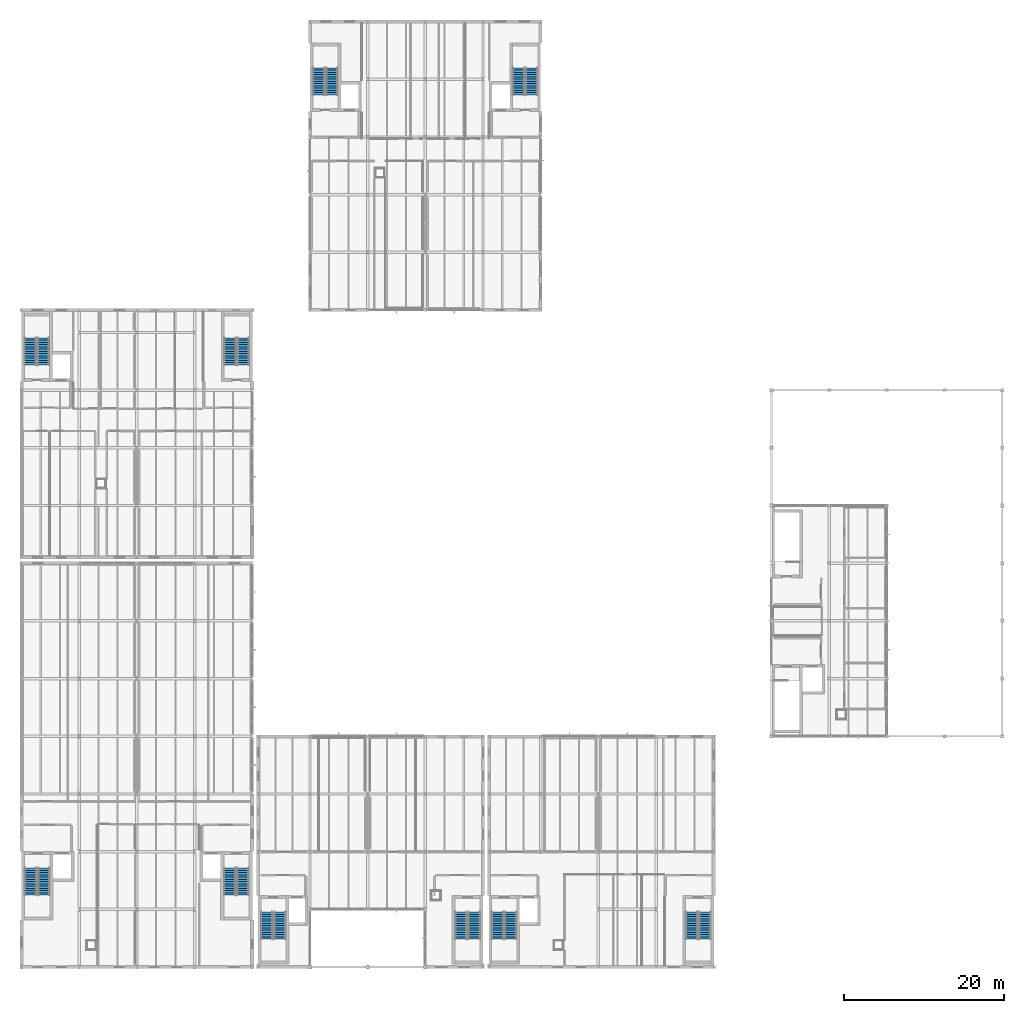
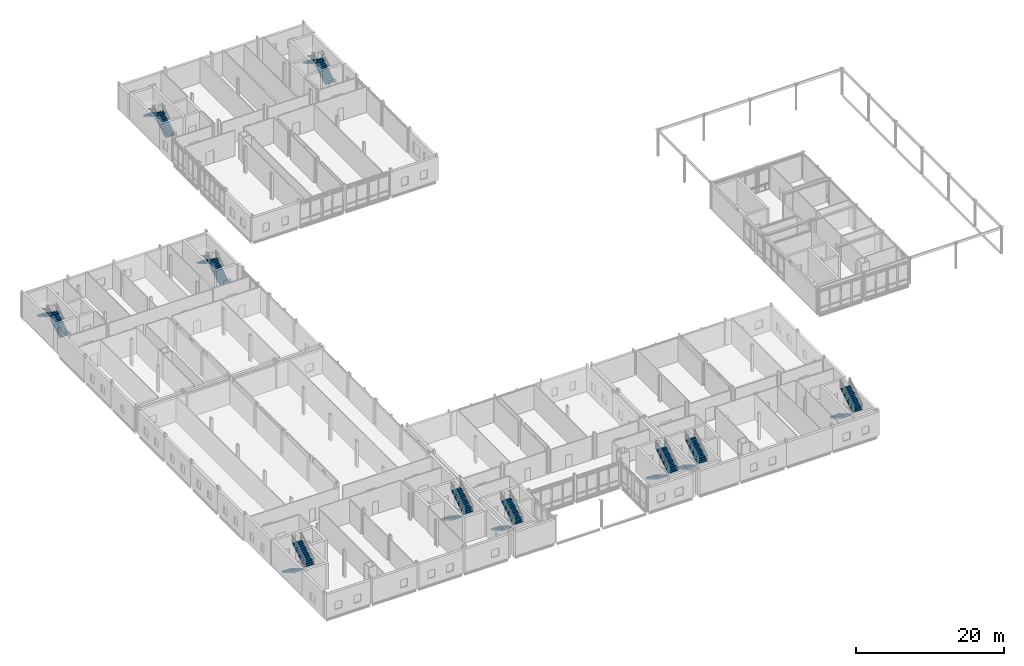
# One storey, part 63 of 72: 20 stair flights, 10 elements without a shape of their own.
"""IFC4 building model written with IfcOpenShell, lengths in metres."""

from ifc_helpers import new_model, si_unit, direction, frame, origin, place, context, subcontext, project, spatial, polyline, outline, extrude, material, type_object, element, aggregate, save


model = new_model("IFC4")

# Units and contexts
model_context = context("Model", 3, precision=1e-05, world=origin(), true_north=direction((0.0, 1.0)))
body_context = subcontext(model_context, "Body", "Model", "MODEL_VIEW")
ifc_project = project(units=[si_unit("LENGTHUNIT", "METRE"), si_unit("AREAUNIT", "SQUARE_METRE"), si_unit("VOLUMEUNIT", "CUBIC_METRE"), si_unit("PLANEANGLEUNIT", "RADIAN"), si_unit("MASSUNIT", "GRAM", prefix="KILO")], contexts=[model_context])

# Site, building, storey
site_placement = place(None, origin())
site = spatial("IfcSite", under=ifc_project, at=site_placement, CompositionType="ELEMENT")
building_placement = place(site_placement, origin())
building = spatial("IfcBuilding", under=site, at=building_placement, Name="Zarrinpeak Specialist Clinic", CompositionType="ELEMENT")
storey_placement = place(building_placement, frame((0.0, 0.0, 9.60009765625)))
storey = spatial("IfcBuildingStorey", under=building, at=storey_placement, Name="L02", CompositionType="ELEMENT", Elevation=9.60009765625)

# Stair, stair flights
ifc_material = material(Name="Concrete C35/45", Category="concrete")
stair_type = type_object("IfcStairType", Name="ST-DOG", PredefinedType="HALF_TURN_STAIR", material=ifc_material)
stair_1_placement = place(storey_placement, origin())
stair_1 = element("IfcStair", 1, at=stair_1_placement, inside=storey, type_object=stair_type, Name="L02 Protected Exit Stair ST-01", PredefinedType="HALF_TURN_STAIR")
stair_flight_type = type_object("IfcStairFlightType", Name="STF-150", PredefinedType="STRAIGHT", material=ifc_material)
stair_flight_1_placement = place(storey_placement, frame((1.14990234375, 12.35009765625, 0.0), z_axis=(0.0, 0.0, 1.0), x_axis=(0.0, -1.0, 0.0)))
stair_flight_1 = element("IfcStairFlight", 2, at=stair_flight_1_placement, type_object=stair_flight_type, Name="ST-01 flight 1", NumberOfRisers=13, NumberOfTreads=12, PredefinedType="STRAIGHT", RiserHeight=0.169230769, TreadLength=0.28, context=body_context, shape_type="SweptSolid", body=[
    extrude(outline(polyline([(0.0, 0.0), (0.0, 0.169189453125), (0.280029296875, 0.169189453125), (0.280029296875, 0.33837890625), (0.56005859375, 0.33837890625), (0.56005859375, 0.5078125), (0.840087890625, 0.5078125), (0.840087890625, 0.677001953125), (1.1201171875, 0.677001953125), (1.1201171875, 0.84619140625), (1.39990234375, 0.84619140625), (1.39990234375, 1.015380859375), (1.679931640625, 1.015380859375), (1.679931640625, 1.1845703125), (1.9599609375, 1.1845703125), (1.9599609375, 1.353759765625), (2.239990234375, 1.353759765625), (2.239990234375, 1.523193359375), (2.52001953125, 1.523193359375), (2.52001953125, 1.6923828125), (2.800048828125, 1.6923828125), (2.800048828125, 1.861572265625), (3.080078125, 1.861572265625), (3.080078125, 2.03076171875), (3.360107421875, 2.03076171875), (3.360107421875, 2.199951171875), (3.360107421875, 1.855712890625), (0.289794921875, 0.0), (0.0, 0.0)])), frame((0.0, 0.75, 0.0), z_axis=(0.0, -1.0, 0.0), x_axis=(1.0, 0.0, 0.0)), (0.0, 0.0, 1.0), 1.5),
])
stair_flight_2_placement = place(storey_placement, frame((2.800048828125, 8.989990234375, 2.199951171875), z_axis=(0.0, 0.0, 1.0), x_axis=(0.0, 1.0, 0.0)))
stair_flight_2 = element("IfcStairFlight", 3, at=stair_flight_2_placement, type_object=stair_flight_type, Name="ST-01 flight 2", NumberOfRisers=13, NumberOfTreads=12, PredefinedType="STRAIGHT", RiserHeight=0.169230769, TreadLength=0.28, context=body_context, shape_type="SweptSolid", body=[
    extrude(outline(polyline([(0.0, 0.0), (0.0, 0.169189453125), (0.280029296875, 0.169189453125), (0.280029296875, 0.33837890625), (0.56005859375, 0.33837890625), (0.56005859375, 0.5078125), (0.840087890625, 0.5078125), (0.840087890625, 0.677001953125), (1.1201171875, 0.677001953125), (1.1201171875, 0.84619140625), (1.39990234375, 0.84619140625), (1.39990234375, 1.015380859375), (1.679931640625, 1.015380859375), (1.679931640625, 1.1845703125), (1.9599609375, 1.1845703125), (1.9599609375, 1.353759765625), (2.239990234375, 1.353759765625), (2.239990234375, 1.523193359375), (2.52001953125, 1.523193359375), (2.52001953125, 1.6923828125), (2.800048828125, 1.6923828125), (2.800048828125, 1.861572265625), (3.080078125, 1.861572265625), (3.080078125, 2.03076171875), (3.360107421875, 2.03076171875), (3.360107421875, 2.199951171875), (3.360107421875, 1.855712890625), (0.289794921875, 0.0), (0.0, 0.0)])), frame((0.0, 0.75, 0.0), z_axis=(0.0, -1.0, 0.0), x_axis=(1.0, 0.0, 0.0)), (0.0, 0.0, 1.0), 1.5),
])
aggregate(stair_1, [stair_flight_1, stair_flight_2])

stair_2_placement = place(storey_placement, origin())
stair_2 = element("IfcStair", 4, at=stair_2_placement, inside=storey, type_object=stair_type, Name="L02 Protected Exit Stair ST-02", PredefinedType="HALF_TURN_STAIR")
stair_flight_3_placement = place(storey_placement, frame((26.0, 12.35009765625, 0.0), z_axis=(0.0, 0.0, 1.0), x_axis=(0.0, -1.0, 0.0)))
stair_flight_3 = element("IfcStairFlight", 5, at=stair_flight_3_placement, type_object=stair_flight_type, Name="ST-02 flight 1", NumberOfRisers=13, NumberOfTreads=12, PredefinedType="STRAIGHT", RiserHeight=0.169230769, TreadLength=0.28, context=body_context, shape_type="SweptSolid", body=[
    extrude(outline(polyline([(0.0, 0.0), (0.0, 0.169189453125), (0.280029296875, 0.169189453125), (0.280029296875, 0.33837890625), (0.56005859375, 0.33837890625), (0.56005859375, 0.5078125), (0.840087890625, 0.5078125), (0.840087890625, 0.677001953125), (1.1201171875, 0.677001953125), (1.1201171875, 0.84619140625), (1.39990234375, 0.84619140625), (1.39990234375, 1.015380859375), (1.679931640625, 1.015380859375), (1.679931640625, 1.1845703125), (1.9599609375, 1.1845703125), (1.9599609375, 1.353759765625), (2.239990234375, 1.353759765625), (2.239990234375, 1.523193359375), (2.52001953125, 1.523193359375), (2.52001953125, 1.6923828125), (2.800048828125, 1.6923828125), (2.800048828125, 1.861572265625), (3.080078125, 1.861572265625), (3.080078125, 2.03076171875), (3.360107421875, 2.03076171875), (3.360107421875, 2.199951171875), (3.360107421875, 1.855712890625), (0.289794921875, 0.0), (0.0, 0.0)])), frame((0.0, 0.75, 0.0), z_axis=(0.0, -1.0, 0.0), x_axis=(1.0, 0.0, 0.0)), (0.0, 0.0, 1.0), 1.5),
])
stair_flight_4_placement = place(storey_placement, frame((27.64990234375, 8.989990234375, 2.199951171875), z_axis=(0.0, 0.0, 1.0), x_axis=(0.0, 1.0, 0.0)))
stair_flight_4 = element("IfcStairFlight", 6, at=stair_flight_4_placement, type_object=stair_flight_type, Name="ST-02 flight 2", NumberOfRisers=13, NumberOfTreads=12, PredefinedType="STRAIGHT", RiserHeight=0.169230769, TreadLength=0.28, context=body_context, shape_type="SweptSolid", body=[
    extrude(outline(polyline([(0.0, 0.0), (0.0, 0.169189453125), (0.280029296875, 0.169189453125), (0.280029296875, 0.33837890625), (0.56005859375, 0.33837890625), (0.56005859375, 0.5078125), (0.840087890625, 0.5078125), (0.840087890625, 0.677001953125), (1.1201171875, 0.677001953125), (1.1201171875, 0.84619140625), (1.39990234375, 0.84619140625), (1.39990234375, 1.015380859375), (1.679931640625, 1.015380859375), (1.679931640625, 1.1845703125), (1.9599609375, 1.1845703125), (1.9599609375, 1.353759765625), (2.239990234375, 1.353759765625), (2.239990234375, 1.523193359375), (2.52001953125, 1.523193359375), (2.52001953125, 1.6923828125), (2.800048828125, 1.6923828125), (2.800048828125, 1.861572265625), (3.080078125, 1.861572265625), (3.080078125, 2.03076171875), (3.360107421875, 2.03076171875), (3.360107421875, 2.199951171875), (3.360107421875, 1.855712890625), (0.289794921875, 0.0), (0.0, 0.0)])), frame((0.0, 0.75, 0.0), z_axis=(0.0, -1.0, 0.0), x_axis=(1.0, 0.0, 0.0)), (0.0, 0.0, 1.0), 1.5),
])
aggregate(stair_2, [stair_flight_3, stair_flight_4])

stair_3_placement = place(storey_placement, origin())
stair_3 = element("IfcStair", 7, at=stair_3_placement, inside=storey, type_object=stair_type, Name="L02 Protected Exit Stair ST-03", PredefinedType="HALF_TURN_STAIR")
stair_flight_5_placement = place(storey_placement, frame((30.6201171875, 6.85009765625, 0.0), z_axis=(0.0, 0.0, 1.0), x_axis=(0.0, -1.0, 0.0)))
stair_flight_5 = element("IfcStairFlight", 8, at=stair_flight_5_placement, type_object=stair_flight_type, Name="ST-03 flight 1", NumberOfRisers=13, NumberOfTreads=12, PredefinedType="STRAIGHT", RiserHeight=0.169230769, TreadLength=0.28, context=body_context, shape_type="SweptSolid", body=[
    extrude(outline(polyline([(0.0, 0.0), (0.0, 0.169189453125), (0.280029296875, 0.169189453125), (0.280029296875, 0.33837890625), (0.56005859375, 0.33837890625), (0.56005859375, 0.5078125), (0.840087890625, 0.5078125), (0.840087890625, 0.677001953125), (1.1201171875, 0.677001953125), (1.1201171875, 0.84619140625), (1.39990234375, 0.84619140625), (1.39990234375, 1.015380859375), (1.679931640625, 1.015380859375), (1.679931640625, 1.1845703125), (1.9599609375, 1.1845703125), (1.9599609375, 1.353759765625), (2.239990234375, 1.353759765625), (2.239990234375, 1.523193359375), (2.52001953125, 1.523193359375), (2.52001953125, 1.6923828125), (2.800048828125, 1.6923828125), (2.800048828125, 1.861572265625), (3.080078125, 1.861572265625), (3.080078125, 2.03076171875), (3.360107421875, 2.03076171875), (3.360107421875, 2.199951171875), (3.360107421875, 1.855712890625), (0.289794921875, 0.0), (0.0, 0.0)])), frame((0.0, 0.75, 0.0), z_axis=(0.0, -1.0, 0.0), x_axis=(1.0, 0.0, 0.0)), (0.0, 0.0, 1.0), 1.5),
])
stair_flight_6_placement = place(storey_placement, frame((32.27001953125, 3.489990234375, 2.199951171875), z_axis=(0.0, 0.0, 1.0), x_axis=(0.0, 1.0, 0.0)))
stair_flight_6 = element("IfcStairFlight", 9, at=stair_flight_6_placement, type_object=stair_flight_type, Name="ST-03 flight 2", NumberOfRisers=13, NumberOfTreads=12, PredefinedType="STRAIGHT", RiserHeight=0.169230769, TreadLength=0.28, context=body_context, shape_type="SweptSolid", body=[
    extrude(outline(polyline([(0.0, 0.0), (0.0, 0.169189453125), (0.280029296875, 0.169189453125), (0.280029296875, 0.33837890625), (0.56005859375, 0.33837890625), (0.56005859375, 0.5078125), (0.840087890625, 0.5078125), (0.840087890625, 0.677001953125), (1.1201171875, 0.677001953125), (1.1201171875, 0.84619140625), (1.39990234375, 0.84619140625), (1.39990234375, 1.015380859375), (1.679931640625, 1.015380859375), (1.679931640625, 1.1845703125), (1.9599609375, 1.1845703125), (1.9599609375, 1.353759765625), (2.239990234375, 1.353759765625), (2.239990234375, 1.523193359375), (2.52001953125, 1.523193359375), (2.52001953125, 1.6923828125), (2.800048828125, 1.6923828125), (2.800048828125, 1.861572265625), (3.080078125, 1.861572265625), (3.080078125, 2.03076171875), (3.360107421875, 2.03076171875), (3.360107421875, 2.199951171875), (3.360107421875, 1.855712890625), (0.289794921875, 0.0), (0.0, 0.0)])), frame((0.0, 0.75, 0.0), z_axis=(0.0, -1.0, 0.0), x_axis=(1.0, 0.0, 0.0)), (0.0, 0.0, 1.0), 1.5),
])
aggregate(stair_3, [stair_flight_5, stair_flight_6])

stair_4_placement = place(storey_placement, origin())
stair_4 = element("IfcStair", 10, at=stair_4_placement, inside=storey, type_object=stair_type, Name="L02 Protected Exit Stair ST-04", PredefinedType="HALF_TURN_STAIR")
stair_flight_7_placement = place(storey_placement, frame((54.85009765625, 6.85009765625, 0.0), z_axis=(0.0, 0.0, 1.0), x_axis=(0.0, -1.0, 0.0)))
stair_flight_7 = element("IfcStairFlight", 11, at=stair_flight_7_placement, type_object=stair_flight_type, Name="ST-04 flight 1", NumberOfRisers=13, NumberOfTreads=12, PredefinedType="STRAIGHT", RiserHeight=0.169230769, TreadLength=0.28, context=body_context, shape_type="SweptSolid", body=[
    extrude(outline(polyline([(0.0, 0.0), (0.0, 0.169189453125), (0.280029296875, 0.169189453125), (0.280029296875, 0.33837890625), (0.56005859375, 0.33837890625), (0.56005859375, 0.5078125), (0.840087890625, 0.5078125), (0.840087890625, 0.677001953125), (1.1201171875, 0.677001953125), (1.1201171875, 0.84619140625), (1.39990234375, 0.84619140625), (1.39990234375, 1.015380859375), (1.679931640625, 1.015380859375), (1.679931640625, 1.1845703125), (1.9599609375, 1.1845703125), (1.9599609375, 1.353759765625), (2.239990234375, 1.353759765625), (2.239990234375, 1.523193359375), (2.52001953125, 1.523193359375), (2.52001953125, 1.6923828125), (2.800048828125, 1.6923828125), (2.800048828125, 1.861572265625), (3.080078125, 1.861572265625), (3.080078125, 2.03076171875), (3.360107421875, 2.03076171875), (3.360107421875, 2.199951171875), (3.360107421875, 1.855712890625), (0.289794921875, 0.0), (0.0, 0.0)])), frame((0.0, 0.75, 0.0), z_axis=(0.0, -1.0, 0.0), x_axis=(1.0, 0.0, 0.0)), (0.0, 0.0, 1.0), 1.5),
])
stair_flight_8_placement = place(storey_placement, frame((56.5, 3.489990234375, 2.199951171875), z_axis=(0.0, 0.0, 1.0), x_axis=(0.0, 1.0, 0.0)))
stair_flight_8 = element("IfcStairFlight", 12, at=stair_flight_8_placement, type_object=stair_flight_type, Name="ST-04 flight 2", NumberOfRisers=13, NumberOfTreads=12, PredefinedType="STRAIGHT", RiserHeight=0.169230769, TreadLength=0.28, context=body_context, shape_type="SweptSolid", body=[
    extrude(outline(polyline([(0.0, 0.0), (0.0, 0.169189453125), (0.280029296875, 0.169189453125), (0.280029296875, 0.33837890625), (0.56005859375, 0.33837890625), (0.56005859375, 0.5078125), (0.840087890625, 0.5078125), (0.840087890625, 0.677001953125), (1.1201171875, 0.677001953125), (1.1201171875, 0.84619140625), (1.39990234375, 0.84619140625), (1.39990234375, 1.015380859375), (1.679931640625, 1.015380859375), (1.679931640625, 1.1845703125), (1.9599609375, 1.1845703125), (1.9599609375, 1.353759765625), (2.239990234375, 1.353759765625), (2.239990234375, 1.523193359375), (2.52001953125, 1.523193359375), (2.52001953125, 1.6923828125), (2.800048828125, 1.6923828125), (2.800048828125, 1.861572265625), (3.080078125, 1.861572265625), (3.080078125, 2.03076171875), (3.360107421875, 2.03076171875), (3.360107421875, 2.199951171875), (3.360107421875, 1.855712890625), (0.289794921875, 0.0), (0.0, 0.0)])), frame((0.0, 0.75, 0.0), z_axis=(0.0, -1.0, 0.0), x_axis=(1.0, 0.0, 0.0)), (0.0, 0.0, 1.0), 1.5),
])
aggregate(stair_4, [stair_flight_7, stair_flight_8])

stair_5_placement = place(storey_placement, origin())
stair_5 = element("IfcStair", 13, at=stair_5_placement, inside=storey, type_object=stair_type, Name="L02 Protected Exit Stair ST-07", PredefinedType="HALF_TURN_STAIR")
stair_flight_9_placement = place(storey_placement, frame((59.419921875, 6.85009765625, 0.0), z_axis=(0.0, 0.0, 1.0), x_axis=(0.0, -1.0, 0.0)))
stair_flight_9 = element("IfcStairFlight", 14, at=stair_flight_9_placement, type_object=stair_flight_type, Name="ST-07 flight 1", NumberOfRisers=13, NumberOfTreads=12, PredefinedType="STRAIGHT", RiserHeight=0.169230769, TreadLength=0.28, context=body_context, shape_type="SweptSolid", body=[
    extrude(outline(polyline([(0.0, 0.0), (0.0, 0.169189453125), (0.280029296875, 0.169189453125), (0.280029296875, 0.33837890625), (0.56005859375, 0.33837890625), (0.56005859375, 0.5078125), (0.840087890625, 0.5078125), (0.840087890625, 0.677001953125), (1.1201171875, 0.677001953125), (1.1201171875, 0.84619140625), (1.39990234375, 0.84619140625), (1.39990234375, 1.015380859375), (1.679931640625, 1.015380859375), (1.679931640625, 1.1845703125), (1.9599609375, 1.1845703125), (1.9599609375, 1.353759765625), (2.239990234375, 1.353759765625), (2.239990234375, 1.523193359375), (2.52001953125, 1.523193359375), (2.52001953125, 1.6923828125), (2.800048828125, 1.6923828125), (2.800048828125, 1.861572265625), (3.080078125, 1.861572265625), (3.080078125, 2.03076171875), (3.360107421875, 2.03076171875), (3.360107421875, 2.199951171875), (3.360107421875, 1.855712890625), (0.289794921875, 0.0), (0.0, 0.0)])), frame((0.0, 0.75, 0.0), z_axis=(0.0, -1.0, 0.0), x_axis=(1.0, 0.0, 0.0)), (0.0, 0.0, 1.0), 1.5),
])
stair_flight_10_placement = place(storey_placement, frame((61.070068359375, 3.489990234375, 2.199951171875), z_axis=(0.0, 0.0, 1.0), x_axis=(0.0, 1.0, 0.0)))
stair_flight_10 = element("IfcStairFlight", 15, at=stair_flight_10_placement, type_object=stair_flight_type, Name="ST-07 flight 2", NumberOfRisers=13, NumberOfTreads=12, PredefinedType="STRAIGHT", RiserHeight=0.169230769, TreadLength=0.28, context=body_context, shape_type="SweptSolid", body=[
    extrude(outline(polyline([(0.0, 0.0), (0.0, 0.169189453125), (0.280029296875, 0.169189453125), (0.280029296875, 0.33837890625), (0.56005859375, 0.33837890625), (0.56005859375, 0.5078125), (0.840087890625, 0.5078125), (0.840087890625, 0.677001953125), (1.1201171875, 0.677001953125), (1.1201171875, 0.84619140625), (1.39990234375, 0.84619140625), (1.39990234375, 1.015380859375), (1.679931640625, 1.015380859375), (1.679931640625, 1.1845703125), (1.9599609375, 1.1845703125), (1.9599609375, 1.353759765625), (2.239990234375, 1.353759765625), (2.239990234375, 1.523193359375), (2.52001953125, 1.523193359375), (2.52001953125, 1.6923828125), (2.800048828125, 1.6923828125), (2.800048828125, 1.861572265625), (3.080078125, 1.861572265625), (3.080078125, 2.03076171875), (3.360107421875, 2.03076171875), (3.360107421875, 2.199951171875), (3.360107421875, 1.855712890625), (0.289794921875, 0.0), (0.0, 0.0)])), frame((0.0, 0.75, 0.0), z_axis=(0.0, -1.0, 0.0), x_axis=(1.0, 0.0, 0.0)), (0.0, 0.0, 1.0), 1.5),
])
aggregate(stair_5, [stair_flight_9, stair_flight_10])

stair_6_placement = place(storey_placement, origin())
stair_6 = element("IfcStair", 16, at=stair_6_placement, inside=storey, type_object=stair_type, Name="L02 Protected Exit Stair ST-08", PredefinedType="HALF_TURN_STAIR")
stair_flight_11_placement = place(storey_placement, frame((83.64990234375, 6.85009765625, 0.0), z_axis=(0.0, 0.0, 1.0), x_axis=(0.0, -1.0, 0.0)))
stair_flight_11 = element("IfcStairFlight", 17, at=stair_flight_11_placement, type_object=stair_flight_type, Name="ST-08 flight 1", NumberOfRisers=13, NumberOfTreads=12, PredefinedType="STRAIGHT", RiserHeight=0.169230769, TreadLength=0.28, context=body_context, shape_type="SweptSolid", body=[
    extrude(outline(polyline([(0.0, 0.0), (0.0, 0.169189453125), (0.280029296875, 0.169189453125), (0.280029296875, 0.33837890625), (0.56005859375, 0.33837890625), (0.56005859375, 0.5078125), (0.840087890625, 0.5078125), (0.840087890625, 0.677001953125), (1.1201171875, 0.677001953125), (1.1201171875, 0.84619140625), (1.39990234375, 0.84619140625), (1.39990234375, 1.015380859375), (1.679931640625, 1.015380859375), (1.679931640625, 1.1845703125), (1.9599609375, 1.1845703125), (1.9599609375, 1.353759765625), (2.239990234375, 1.353759765625), (2.239990234375, 1.523193359375), (2.52001953125, 1.523193359375), (2.52001953125, 1.6923828125), (2.800048828125, 1.6923828125), (2.800048828125, 1.861572265625), (3.080078125, 1.861572265625), (3.080078125, 2.03076171875), (3.360107421875, 2.03076171875), (3.360107421875, 2.199951171875), (3.360107421875, 1.855712890625), (0.289794921875, 0.0), (0.0, 0.0)])), frame((0.0, 0.75, 0.0), z_axis=(0.0, -1.0, 0.0), x_axis=(1.0, 0.0, 0.0)), (0.0, 0.0, 1.0), 1.5),
])
stair_flight_12_placement = place(storey_placement, frame((85.300048828125, 3.489990234375, 2.199951171875), z_axis=(0.0, 0.0, 1.0), x_axis=(0.0, 1.0, 0.0)))
stair_flight_12 = element("IfcStairFlight", 18, at=stair_flight_12_placement, type_object=stair_flight_type, Name="ST-08 flight 2", NumberOfRisers=13, NumberOfTreads=12, PredefinedType="STRAIGHT", RiserHeight=0.169230769, TreadLength=0.28, context=body_context, shape_type="SweptSolid", body=[
    extrude(outline(polyline([(0.0, 0.0), (0.0, 0.169189453125), (0.280029296875, 0.169189453125), (0.280029296875, 0.33837890625), (0.56005859375, 0.33837890625), (0.56005859375, 0.5078125), (0.840087890625, 0.5078125), (0.840087890625, 0.677001953125), (1.1201171875, 0.677001953125), (1.1201171875, 0.84619140625), (1.39990234375, 0.84619140625), (1.39990234375, 1.015380859375), (1.679931640625, 1.015380859375), (1.679931640625, 1.1845703125), (1.9599609375, 1.1845703125), (1.9599609375, 1.353759765625), (2.239990234375, 1.353759765625), (2.239990234375, 1.523193359375), (2.52001953125, 1.523193359375), (2.52001953125, 1.6923828125), (2.800048828125, 1.6923828125), (2.800048828125, 1.861572265625), (3.080078125, 1.861572265625), (3.080078125, 2.03076171875), (3.360107421875, 2.03076171875), (3.360107421875, 2.199951171875), (3.360107421875, 1.855712890625), (0.289794921875, 0.0), (0.0, 0.0)])), frame((0.0, 0.75, 0.0), z_axis=(0.0, -1.0, 0.0), x_axis=(1.0, 0.0, 0.0)), (0.0, 0.0, 1.0), 1.5),
])
aggregate(stair_6, [stair_flight_11, stair_flight_12])

stair_7_placement = place(storey_placement, origin())
stair_7 = element("IfcStair", 19, at=stair_7_placement, inside=storey, type_object=stair_type, Name="L02 Protected Exit Stair ST-09", PredefinedType="HALF_TURN_STAIR")
stair_flight_13_placement = place(storey_placement, frame((2.75, 75.14990234375, 0.0), z_axis=(0.0, 0.0, 1.0), x_axis=(0.0, 1.0, 0.0)))
stair_flight_13 = element("IfcStairFlight", 20, at=stair_flight_13_placement, type_object=stair_flight_type, Name="ST-09 flight 1", NumberOfRisers=13, NumberOfTreads=12, PredefinedType="STRAIGHT", RiserHeight=0.169230769, TreadLength=0.28, context=body_context, shape_type="SweptSolid", body=[
    extrude(outline(polyline([(0.0, 0.0), (0.0, 0.169189453125), (0.280029296875, 0.169189453125), (0.280029296875, 0.33837890625), (0.56005859375, 0.33837890625), (0.56005859375, 0.5078125), (0.840087890625, 0.5078125), (0.840087890625, 0.677001953125), (1.1201171875, 0.677001953125), (1.1201171875, 0.84619140625), (1.39990234375, 0.84619140625), (1.39990234375, 1.015380859375), (1.679931640625, 1.015380859375), (1.679931640625, 1.1845703125), (1.9599609375, 1.1845703125), (1.9599609375, 1.353759765625), (2.239990234375, 1.353759765625), (2.239990234375, 1.523193359375), (2.52001953125, 1.523193359375), (2.52001953125, 1.6923828125), (2.800048828125, 1.6923828125), (2.800048828125, 1.861572265625), (3.080078125, 1.861572265625), (3.080078125, 2.03076171875), (3.360107421875, 2.03076171875), (3.360107421875, 2.199951171875), (3.360107421875, 1.855712890625), (0.289794921875, 0.0), (0.0, 0.0)])), frame((0.0, 0.75, 0.0), z_axis=(0.0, -1.0, 0.0), x_axis=(1.0, 0.0, 0.0)), (0.0, 0.0, 1.0), 1.5),
])
stair_flight_14_placement = place(storey_placement, frame((1.10009765625, 78.510009765625, 2.199951171875), z_axis=(0.0, 0.0, 1.0), x_axis=(0.0, -1.0, 0.0)))
stair_flight_14 = element("IfcStairFlight", 21, at=stair_flight_14_placement, type_object=stair_flight_type, Name="ST-09 flight 2", NumberOfRisers=13, NumberOfTreads=12, PredefinedType="STRAIGHT", RiserHeight=0.169230769, TreadLength=0.28, context=body_context, shape_type="SweptSolid", body=[
    extrude(outline(polyline([(0.0, 0.0), (0.0, 0.169189453125), (0.280029296875, 0.169189453125), (0.280029296875, 0.33837890625), (0.56005859375, 0.33837890625), (0.56005859375, 0.5078125), (0.840087890625, 0.5078125), (0.840087890625, 0.677001953125), (1.1201171875, 0.677001953125), (1.1201171875, 0.84619140625), (1.39990234375, 0.84619140625), (1.39990234375, 1.015380859375), (1.679931640625, 1.015380859375), (1.679931640625, 1.1845703125), (1.9599609375, 1.1845703125), (1.9599609375, 1.353759765625), (2.239990234375, 1.353759765625), (2.239990234375, 1.523193359375), (2.52001953125, 1.523193359375), (2.52001953125, 1.6923828125), (2.800048828125, 1.6923828125), (2.800048828125, 1.861572265625), (3.080078125, 1.861572265625), (3.080078125, 2.03076171875), (3.360107421875, 2.03076171875), (3.360107421875, 2.199951171875), (3.360107421875, 1.855712890625), (0.289794921875, 0.0), (0.0, 0.0)])), frame((0.0, 0.75, 0.0), z_axis=(0.0, -1.0, 0.0), x_axis=(1.0, 0.0, 0.0)), (0.0, 0.0, 1.0), 1.5),
])
aggregate(stair_7, [stair_flight_13, stair_flight_14])

stair_8_placement = place(storey_placement, origin())
stair_8 = element("IfcStair", 22, at=stair_8_placement, inside=storey, type_object=stair_type, Name="L02 Protected Exit Stair ST-10", PredefinedType="HALF_TURN_STAIR")
stair_flight_15_placement = place(storey_placement, frame((27.699951171875, 75.14990234375, 0.0), z_axis=(0.0, 0.0, 1.0), x_axis=(0.0, 1.0, 0.0)))
stair_flight_15 = element("IfcStairFlight", 23, at=stair_flight_15_placement, type_object=stair_flight_type, Name="ST-10 flight 1", NumberOfRisers=13, NumberOfTreads=12, PredefinedType="STRAIGHT", RiserHeight=0.169230769, TreadLength=0.28, context=body_context, shape_type="SweptSolid", body=[
    extrude(outline(polyline([(0.0, 0.0), (0.0, 0.169189453125), (0.280029296875, 0.169189453125), (0.280029296875, 0.33837890625), (0.56005859375, 0.33837890625), (0.56005859375, 0.5078125), (0.840087890625, 0.5078125), (0.840087890625, 0.677001953125), (1.1201171875, 0.677001953125), (1.1201171875, 0.84619140625), (1.39990234375, 0.84619140625), (1.39990234375, 1.015380859375), (1.679931640625, 1.015380859375), (1.679931640625, 1.1845703125), (1.9599609375, 1.1845703125), (1.9599609375, 1.353759765625), (2.239990234375, 1.353759765625), (2.239990234375, 1.523193359375), (2.52001953125, 1.523193359375), (2.52001953125, 1.6923828125), (2.800048828125, 1.6923828125), (2.800048828125, 1.861572265625), (3.080078125, 1.861572265625), (3.080078125, 2.03076171875), (3.360107421875, 2.03076171875), (3.360107421875, 2.199951171875), (3.360107421875, 1.855712890625), (0.289794921875, 0.0), (0.0, 0.0)])), frame((0.0, 0.75, 0.0), z_axis=(0.0, -1.0, 0.0), x_axis=(1.0, 0.0, 0.0)), (0.0, 0.0, 1.0), 1.5),
])
stair_flight_16_placement = place(storey_placement, frame((26.050048828125, 78.510009765625, 2.199951171875), z_axis=(0.0, 0.0, 1.0), x_axis=(0.0, -1.0, 0.0)))
stair_flight_16 = element("IfcStairFlight", 24, at=stair_flight_16_placement, type_object=stair_flight_type, Name="ST-10 flight 2", NumberOfRisers=13, NumberOfTreads=12, PredefinedType="STRAIGHT", RiserHeight=0.169230769, TreadLength=0.28, context=body_context, shape_type="SweptSolid", body=[
    extrude(outline(polyline([(0.0, 0.0), (0.0, 0.169189453125), (0.280029296875, 0.169189453125), (0.280029296875, 0.33837890625), (0.56005859375, 0.33837890625), (0.56005859375, 0.5078125), (0.840087890625, 0.5078125), (0.840087890625, 0.677001953125), (1.1201171875, 0.677001953125), (1.1201171875, 0.84619140625), (1.39990234375, 0.84619140625), (1.39990234375, 1.015380859375), (1.679931640625, 1.015380859375), (1.679931640625, 1.1845703125), (1.9599609375, 1.1845703125), (1.9599609375, 1.353759765625), (2.239990234375, 1.353759765625), (2.239990234375, 1.523193359375), (2.52001953125, 1.523193359375), (2.52001953125, 1.6923828125), (2.800048828125, 1.6923828125), (2.800048828125, 1.861572265625), (3.080078125, 1.861572265625), (3.080078125, 2.03076171875), (3.360107421875, 2.03076171875), (3.360107421875, 2.199951171875), (3.360107421875, 1.855712890625), (0.289794921875, 0.0), (0.0, 0.0)])), frame((0.0, 0.75, 0.0), z_axis=(0.0, -1.0, 0.0), x_axis=(1.0, 0.0, 0.0)), (0.0, 0.0, 1.0), 1.5),
])
aggregate(stair_8, [stair_flight_15, stair_flight_16])

stair_9_placement = place(storey_placement, origin())
stair_9 = element("IfcStair", 25, at=stair_9_placement, inside=storey, type_object=stair_type, Name="L02 Protected Exit Stair ST-11", PredefinedType="HALF_TURN_STAIR")
stair_flight_17_placement = place(storey_placement, frame((38.75, 108.85009765625, 0.0), z_axis=(0.0, 0.0, 1.0), x_axis=(0.0, 1.0, 0.0)))
stair_flight_17 = element("IfcStairFlight", 26, at=stair_flight_17_placement, type_object=stair_flight_type, Name="ST-11 flight 1", NumberOfRisers=13, NumberOfTreads=12, PredefinedType="STRAIGHT", RiserHeight=0.169230769, TreadLength=0.28, context=body_context, shape_type="SweptSolid", body=[
    extrude(outline(polyline([(0.0, 0.0), (0.0, 0.169189453125), (0.280029296875, 0.169189453125), (0.280029296875, 0.33837890625), (0.56005859375, 0.33837890625), (0.56005859375, 0.5078125), (0.840087890625, 0.5078125), (0.840087890625, 0.677001953125), (1.1201171875, 0.677001953125), (1.1201171875, 0.84619140625), (1.39990234375, 0.84619140625), (1.39990234375, 1.015380859375), (1.679931640625, 1.015380859375), (1.679931640625, 1.1845703125), (1.9599609375, 1.1845703125), (1.9599609375, 1.353759765625), (2.239990234375, 1.353759765625), (2.239990234375, 1.523193359375), (2.52001953125, 1.523193359375), (2.52001953125, 1.6923828125), (2.800048828125, 1.6923828125), (2.800048828125, 1.861572265625), (3.080078125, 1.861572265625), (3.080078125, 2.03076171875), (3.360107421875, 2.03076171875), (3.360107421875, 2.199951171875), (3.360107421875, 1.855712890625), (0.289794921875, 0.0), (0.0, 0.0)])), frame((0.0, 0.75, 0.0), z_axis=(0.0, -1.0, 0.0), x_axis=(1.0, 0.0, 0.0)), (0.0, 0.0, 1.0), 1.5),
])
stair_flight_18_placement = place(storey_placement, frame((37.10009765625, 112.2099609375, 2.199951171875), z_axis=(0.0, 0.0, 1.0), x_axis=(0.0, -1.0, 0.0)))
stair_flight_18 = element("IfcStairFlight", 27, at=stair_flight_18_placement, type_object=stair_flight_type, Name="ST-11 flight 2", NumberOfRisers=13, NumberOfTreads=12, PredefinedType="STRAIGHT", RiserHeight=0.169230769, TreadLength=0.28, context=body_context, shape_type="SweptSolid", body=[
    extrude(outline(polyline([(0.0, 0.0), (0.0, 0.169189453125), (0.280029296875, 0.169189453125), (0.280029296875, 0.33837890625), (0.56005859375, 0.33837890625), (0.56005859375, 0.5078125), (0.840087890625, 0.5078125), (0.840087890625, 0.677001953125), (1.1201171875, 0.677001953125), (1.1201171875, 0.84619140625), (1.39990234375, 0.84619140625), (1.39990234375, 1.015380859375), (1.679931640625, 1.015380859375), (1.679931640625, 1.1845703125), (1.9599609375, 1.1845703125), (1.9599609375, 1.353759765625), (2.239990234375, 1.353759765625), (2.239990234375, 1.523193359375), (2.52001953125, 1.523193359375), (2.52001953125, 1.6923828125), (2.800048828125, 1.6923828125), (2.800048828125, 1.861572265625), (3.080078125, 1.861572265625), (3.080078125, 2.03076171875), (3.360107421875, 2.03076171875), (3.360107421875, 2.199951171875), (3.360107421875, 1.855712890625), (0.289794921875, 0.0), (0.0, 0.0)])), frame((0.0, 0.75, 0.0), z_axis=(0.0, -1.0, 0.0), x_axis=(1.0, 0.0, 0.0)), (0.0, 0.0, 1.0), 1.5),
])
aggregate(stair_9, [stair_flight_17, stair_flight_18])

stair_10_placement = place(storey_placement, origin())
stair_10 = element("IfcStair", 28, at=stair_10_placement, inside=storey, type_object=stair_type, Name="L02 Protected Exit Stair ST-12", PredefinedType="HALF_TURN_STAIR")
stair_flight_19_placement = place(storey_placement, frame((63.699951171875, 108.85009765625, 0.0), z_axis=(0.0, 0.0, 1.0), x_axis=(0.0, 1.0, 0.0)))
stair_flight_19 = element("IfcStairFlight", 29, at=stair_flight_19_placement, type_object=stair_flight_type, Name="ST-12 flight 1", NumberOfRisers=13, NumberOfTreads=12, PredefinedType="STRAIGHT", RiserHeight=0.169230769, TreadLength=0.28, context=body_context, shape_type="SweptSolid", body=[
    extrude(outline(polyline([(0.0, 0.0), (0.0, 0.169189453125), (0.280029296875, 0.169189453125), (0.280029296875, 0.33837890625), (0.56005859375, 0.33837890625), (0.56005859375, 0.5078125), (0.840087890625, 0.5078125), (0.840087890625, 0.677001953125), (1.1201171875, 0.677001953125), (1.1201171875, 0.84619140625), (1.39990234375, 0.84619140625), (1.39990234375, 1.015380859375), (1.679931640625, 1.015380859375), (1.679931640625, 1.1845703125), (1.9599609375, 1.1845703125), (1.9599609375, 1.353759765625), (2.239990234375, 1.353759765625), (2.239990234375, 1.523193359375), (2.52001953125, 1.523193359375), (2.52001953125, 1.6923828125), (2.800048828125, 1.6923828125), (2.800048828125, 1.861572265625), (3.080078125, 1.861572265625), (3.080078125, 2.03076171875), (3.360107421875, 2.03076171875), (3.360107421875, 2.199951171875), (3.360107421875, 1.855712890625), (0.289794921875, 0.0), (0.0, 0.0)])), frame((0.0, 0.75, 0.0), z_axis=(0.0, -1.0, 0.0), x_axis=(1.0, 0.0, 0.0)), (0.0, 0.0, 1.0), 1.5),
])
stair_flight_20_placement = place(storey_placement, frame((62.050048828125, 112.2099609375, 2.199951171875), z_axis=(0.0, 0.0, 1.0), x_axis=(0.0, -1.0, 0.0)))
stair_flight_20 = element("IfcStairFlight", 30, at=stair_flight_20_placement, type_object=stair_flight_type, Name="ST-12 flight 2", NumberOfRisers=13, NumberOfTreads=12, PredefinedType="STRAIGHT", RiserHeight=0.169230769, TreadLength=0.28, context=body_context, shape_type="SweptSolid", body=[
    extrude(outline(polyline([(0.0, 0.0), (0.0, 0.169189453125), (0.280029296875, 0.169189453125), (0.280029296875, 0.33837890625), (0.56005859375, 0.33837890625), (0.56005859375, 0.5078125), (0.840087890625, 0.5078125), (0.840087890625, 0.677001953125), (1.1201171875, 0.677001953125), (1.1201171875, 0.84619140625), (1.39990234375, 0.84619140625), (1.39990234375, 1.015380859375), (1.679931640625, 1.015380859375), (1.679931640625, 1.1845703125), (1.9599609375, 1.1845703125), (1.9599609375, 1.353759765625), (2.239990234375, 1.353759765625), (2.239990234375, 1.523193359375), (2.52001953125, 1.523193359375), (2.52001953125, 1.6923828125), (2.800048828125, 1.6923828125), (2.800048828125, 1.861572265625), (3.080078125, 1.861572265625), (3.080078125, 2.03076171875), (3.360107421875, 2.03076171875), (3.360107421875, 2.199951171875), (3.360107421875, 1.855712890625), (0.289794921875, 0.0), (0.0, 0.0)])), frame((0.0, 0.75, 0.0), z_axis=(0.0, -1.0, 0.0), x_axis=(1.0, 0.0, 0.0)), (0.0, 0.0, 1.0), 1.5),
])
aggregate(stair_10, [stair_flight_19, stair_flight_20])

save(model, "model.ifc")
